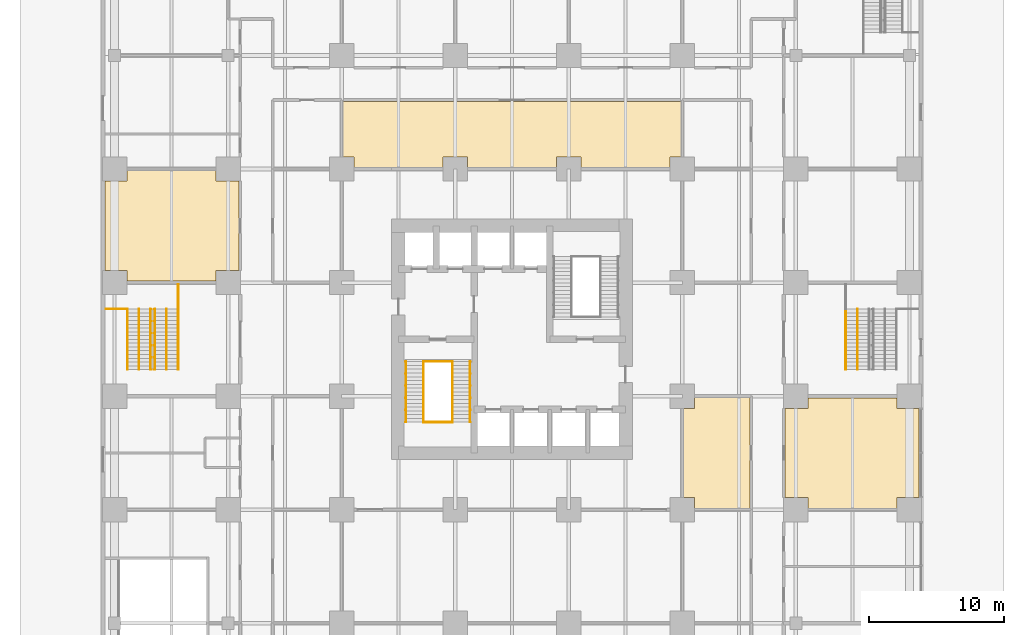
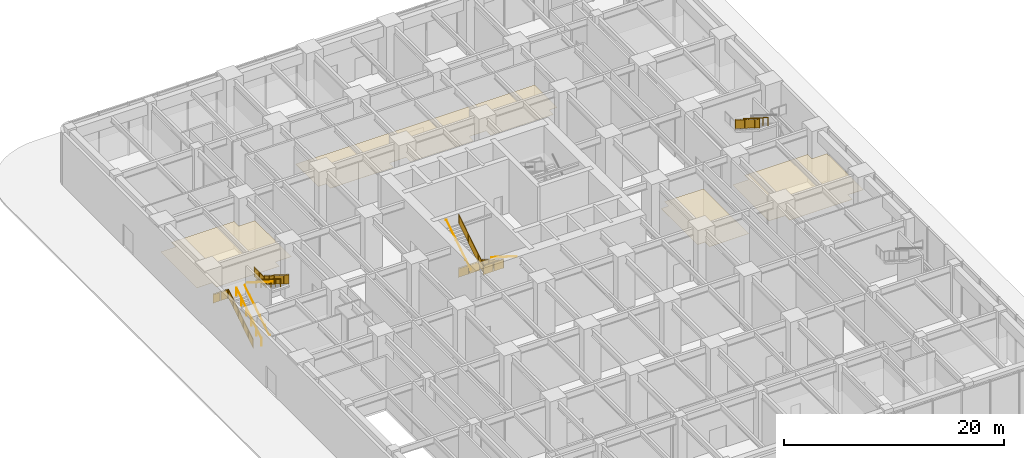
# One storey, part 19 of 21: 16 railings, 4 coverings.
"""IFC4 building model written with IfcOpenShell, lengths in metres."""

from ifc_helpers import new_model, si_unit, direction, frame, origin, origin_2d, place, context, subcontext, project, spatial, polyline, circle, outline, extrude, material, layer, layer_set, type_object, element, save


model = new_model("IFC4")

# Units and contexts
model_context = context("Model", 3, precision=1e-05, world=origin(), true_north=direction((0.0, 1.0)))
body_context = subcontext(model_context, "Body", "Model", "MODEL_VIEW")
ifc_project = project(units=[si_unit("LENGTHUNIT", "METRE"), si_unit("AREAUNIT", "SQUARE_METRE"), si_unit("VOLUMEUNIT", "CUBIC_METRE"), si_unit("PLANEANGLEUNIT", "RADIAN"), si_unit("MASSUNIT", "GRAM", prefix="KILO")], contexts=[model_context])

# Site, building, storey
site_placement = place(None, origin())
site = spatial("IfcSite", under=ifc_project, at=site_placement, CompositionType="ELEMENT")
building_placement = place(site_placement, origin())
building = spatial("IfcBuilding", under=site, at=building_placement, Name="Torre Alcanfor", CompositionType="ELEMENT")
storey_placement = place(building_placement, origin())
storey = spatial("IfcBuildingStorey", under=building, at=storey_placement, Name="L00", CompositionType="ELEMENT", Elevation=0.0)

# Coverings
ifc_material_1 = material(Name="Mineral fibre acoustic tile 20 mm, NRC 0.70, on exposed suspension grid", Category="mineral fibre")
ifc_layer = layer(ifc_material_1, 0.02001953125)
ifc_layer_set = layer_set([ifc_layer], Name="Acoustic suspended ceiling 600x600 mineral fibre tile")
covering_type = type_object("IfcCoveringType", Name="Acoustic suspended ceiling 600x600 mineral fibre tile", PredefinedType="CEILING", material=ifc_layer_set)
covering_1_placement = place(storey_placement, frame((0.0, 0.0, 3.0)))
element("IfcCovering", 1, at=covering_1_placement, inside=storey, type_object=covering_type, Name="Ceiling L00-14", PredefinedType="CEILING", context=body_context, shape_type="SweptSolid", body=[
    extrude(outline(polyline([(57.89990234375, 17.699951171875), (59.5, 17.699951171875), (59.5, 24.300048828125), (57.89990234375, 24.300048828125), (57.89990234375, 25.074951171875), (51.300048828125, 25.074951171875), (51.300048828125, 24.300048828125), (49.60009765625, 24.300048828125), (49.60009765625, 17.699951171875), (51.300048828125, 17.699951171875), (51.300048828125, 16.875), (57.89990234375, 16.875), (57.89990234375, 17.699951171875)])), origin(), (0.0, 0.0, 1.0), 0.02001953125),
])
covering_2_placement = place(storey_placement, frame((0.0, 0.0, 3.0)))
element("IfcCovering", 2, at=covering_2_placement, inside=storey, type_object=covering_type, Name="Ceiling L00-15", PredefinedType="CEILING", context=body_context, shape_type="SweptSolid", body=[
    extrude(outline(polyline([(7.5, 33.72509765625), (7.5, 34.5), (9.199951171875, 34.5), (9.199951171875, 41.10009765625), (7.5, 41.10009765625), (7.5, 41.925048828125), (0.89990234375, 41.925048828125), (0.89990234375, 41.10009765625), (-0.699951171875, 41.10009765625), (-0.699951171875, 34.5), (0.89990234375, 34.5), (0.89990234375, 33.72509765625), (7.5, 33.72509765625)])), origin(), (0.0, 0.0, 1.0), 0.02001953125),
])
covering_3_placement = place(storey_placement, frame((0.0, 0.0, 3.0)))
element("IfcCovering", 3, at=covering_3_placement, inside=storey, type_object=covering_type, Name="Ceiling L00-I08", PredefinedType="CEILING", context=body_context, shape_type="SweptSolid", body=[
    extrude(outline(polyline([(42.89990234375, 25.10009765625), (42.89990234375, 24.300048828125), (42.10009765625, 24.300048828125), (42.10009765625, 17.699951171875), (42.89990234375, 17.699951171875), (42.89990234375, 16.875), (47.0, 16.875), (47.0, 25.10009765625), (42.89990234375, 25.10009765625)])), origin(), (0.0, 0.0, 1.0), 0.02001953125),
])
covering_4_placement = place(storey_placement, frame((0.0, 0.0, 3.0)))
element("IfcCovering", 4, at=covering_4_placement, inside=storey, type_object=covering_type, Name="Ceiling L00-I12", PredefinedType="CEILING", context=body_context, shape_type="SweptSolid", body=[
    extrude(outline(polyline([(41.10009765625, 42.10009765625), (41.10009765625, 42.89990234375), (41.925048828125, 42.89990234375), (41.925048828125, 47.0), (16.875, 47.0), (16.875, 42.89990234375), (17.699951171875, 42.89990234375), (17.699951171875, 42.10009765625), (24.300048828125, 42.10009765625), (24.300048828125, 42.89990234375), (26.10009765625, 42.89990234375), (26.10009765625, 42.10009765625), (32.699951171875, 42.10009765625), (32.699951171875, 42.89990234375), (34.5, 42.89990234375), (34.5, 42.10009765625), (41.10009765625, 42.10009765625)])), origin(), (0.0, 0.0, 1.0), 0.02001953125),
])

# Railings
ifc_material_2 = material(Name="Steel ASTM A500 Grade C hollow sections", Category="steel")
railing_type_1 = type_object("IfcRailingType", Name="Stair guard and handrail 1100", PredefinedType="GUARDRAIL", material=ifc_material_2)
railing_1_placement = place(storey_placement, frame((25.0, 27.75, 0.176513671875)))
element("IfcRailing", 5, at=railing_1_placement, inside=storey, type_object=railing_type_1, Name="Stair guard S1 L00 flight 1", PredefinedType="GUARDRAIL", context=body_context, shape_type="SweptSolid", body=[
    extrude(circle(Radius=0.02392578125, at=origin_2d()), frame((0.0, 0.0, 1.076171875), z_axis=(0.0, -0.845997938375, 0.533186166611), x_axis=(1.0, 0.0, 0.0)), (0.0, 0.0, 1.0), 5.29541015625),
    extrude(circle(Radius=0.02099609375, at=origin_2d()), origin(), (0.0, 0.0, 1.0), 1.052001953125),
    extrude(circle(Radius=0.02099609375, at=origin_2d()), frame((0.0, -0.89599609375, 0.564697265625)), (0.0, 0.0, 1.0), 1.052001953125),
    extrude(circle(Radius=0.02099609375, at=origin_2d()), frame((0.0, -1.7919921875, 1.12939453125)), (0.0, 0.0, 1.0), 1.052001953125),
    extrude(circle(Radius=0.02099609375, at=origin_2d()), frame((0.0, -2.68798828125, 1.694091796875)), (0.0, 0.0, 1.0), 1.052001953125),
    extrude(circle(Radius=0.02099609375, at=origin_2d()), frame((0.0, -3.583984375, 2.2587890625)), (0.0, 0.0, 1.0), 1.052001953125),
    extrude(circle(Radius=0.02099609375, at=origin_2d()), frame((0.0, -4.47998046875, 2.823486328125)), (0.0, 0.0, 1.0), 1.052001953125),
    extrude(outline(polyline([(0.041015625, 0.075927734375), (0.85498046875, 0.5888671875), (0.85498046875, 1.540771484375), (0.041015625, 1.02783203125), (0.041015625, 0.075927734375)])), frame((0.005859375, 0.0, 0.0), z_axis=(-1.0, 0.0, 0.0), x_axis=(0.0, -1.0, 0.0)), (0.0, 0.0, 1.0), 0.011962890625),
    extrude(outline(polyline([(0.93701171875, 0.640625), (1.7509765625, 1.153564453125), (1.7509765625, 2.10546875), (0.93701171875, 1.592529296875), (0.93701171875, 0.640625)])), frame((0.005859375, 0.0, 0.0), z_axis=(-1.0, 0.0, 0.0), x_axis=(0.0, -1.0, 0.0)), (0.0, 0.0, 1.0), 0.011962890625),
    extrude(outline(polyline([(1.8330078125, 1.205322265625), (2.64697265625, 1.71826171875), (2.64697265625, 2.670166015625), (1.8330078125, 2.1572265625), (1.8330078125, 1.205322265625)])), frame((0.005859375, 0.0, 0.0), z_axis=(-1.0, 0.0, 0.0), x_axis=(0.0, -1.0, 0.0)), (0.0, 0.0, 1.0), 0.011962890625),
    extrude(outline(polyline([(2.72900390625, 1.77001953125), (3.54296875, 2.282958984375), (3.54296875, 3.23486328125), (2.72900390625, 2.721923828125), (2.72900390625, 1.77001953125)])), frame((0.005859375, 0.0, 0.0), z_axis=(-1.0, 0.0, 0.0), x_axis=(0.0, -1.0, 0.0)), (0.0, 0.0, 1.0), 0.011962890625),
    extrude(outline(polyline([(3.625, 2.334716796875), (4.43896484375, 2.84765625), (4.43896484375, 3.799560546875), (3.625, 3.28662109375), (3.625, 2.334716796875)])), frame((0.005859375, 0.0, 0.0), z_axis=(-1.0, 0.0, 0.0), x_axis=(0.0, -1.0, 0.0)), (0.0, 0.0, 1.0), 0.011962890625),
])
railing_2_placement = place(storey_placement, frame((22.85009765625, 23.27001953125, 3.176513671875)))
element("IfcRailing", 6, at=railing_2_placement, inside=storey, type_object=railing_type_1, Name="Stair guard S1 L00 flight 2", PredefinedType="GUARDRAIL", context=body_context, shape_type="SweptSolid", body=[
    extrude(circle(Radius=0.02392578125, at=origin_2d()), frame((0.0, 0.0, 1.076171875), z_axis=(0.0, 0.845997938375, 0.533186166611), x_axis=(-1.0, 0.0, 0.0)), (0.0, 0.0, 1.0), 5.29541015625),
    extrude(circle(Radius=0.02099609375, at=origin_2d()), origin(), (0.0, 0.0, 1.0), 1.052001953125),
    extrude(circle(Radius=0.02099609375, at=origin_2d()), frame((0.0, 0.89599609375, 0.564697265625)), (0.0, 0.0, 1.0), 1.052001953125),
    extrude(circle(Radius=0.02099609375, at=origin_2d()), frame((0.0, 1.7919921875, 1.12939453125)), (0.0, 0.0, 1.0), 1.052001953125),
    extrude(circle(Radius=0.02099609375, at=origin_2d()), frame((0.0, 2.68798828125, 1.694091796875)), (0.0, 0.0, 1.0), 1.052001953125),
    extrude(circle(Radius=0.02099609375, at=origin_2d()), frame((0.0, 3.583984375, 2.2587890625)), (0.0, 0.0, 1.0), 1.052001953125),
    extrude(circle(Radius=0.02099609375, at=origin_2d()), frame((0.0, 4.47998046875, 2.823486328125)), (0.0, 0.0, 1.0), 1.052001953125),
    extrude(outline(polyline([(0.041015625, 0.075927734375), (0.85498046875, 0.5888671875), (0.85498046875, 1.540771484375), (0.041015625, 1.02783203125), (0.041015625, 0.075927734375)])), frame((-0.005859375, 0.0, 0.0), z_axis=(1.0, 0.0, 0.0), x_axis=(0.0, 1.0, 0.0)), (0.0, 0.0, 1.0), 0.011962890625),
    extrude(outline(polyline([(0.93701171875, 0.640625), (1.7509765625, 1.153564453125), (1.7509765625, 2.10546875), (0.93701171875, 1.592529296875), (0.93701171875, 0.640625)])), frame((-0.005859375, 0.0, 0.0), z_axis=(1.0, 0.0, 0.0), x_axis=(0.0, 1.0, 0.0)), (0.0, 0.0, 1.0), 0.011962890625),
    extrude(outline(polyline([(1.8330078125, 1.205322265625), (2.64697265625, 1.71826171875), (2.64697265625, 2.670166015625), (1.8330078125, 2.1572265625), (1.8330078125, 1.205322265625)])), frame((-0.005859375, 0.0, 0.0), z_axis=(1.0, 0.0, 0.0), x_axis=(0.0, 1.0, 0.0)), (0.0, 0.0, 1.0), 0.011962890625),
    extrude(outline(polyline([(2.72900390625, 1.77001953125), (3.54296875, 2.282958984375), (3.54296875, 3.23486328125), (2.72900390625, 2.721923828125), (2.72900390625, 1.77001953125)])), frame((-0.005859375, 0.0, 0.0), z_axis=(1.0, 0.0, 0.0), x_axis=(0.0, 1.0, 0.0)), (0.0, 0.0, 1.0), 0.011962890625),
    extrude(outline(polyline([(3.625, 2.334716796875), (4.43896484375, 2.84765625), (4.43896484375, 3.799560546875), (3.625, 3.28662109375), (3.625, 2.334716796875)])), frame((-0.005859375, 0.0, 0.0), z_axis=(1.0, 0.0, 0.0), x_axis=(0.0, 1.0, 0.0)), (0.0, 0.0, 1.0), 0.011962890625),
])
for number, where, name in (
    (7, (22.85009765625, 27.75, 0.0), "Stair well guard S1 L00 floor landing"),
    (8, (22.85009765625, 23.27001953125, 3.0), "Stair well guard S1 L00 half landing"),
):
    element("IfcRailing", number, at=place(storey_placement, frame(where)), inside=storey, type_object=railing_type_1, Name=name, PredefinedType="GUARDRAIL", context=body_context, shape_type="SweptSolid", body=[
        extrude(circle(Radius=0.02392578125, at=origin_2d()), frame((0.0, 0.0, 1.076171875), z_axis=(1.0, 0.0, 0.0), x_axis=(0.0, 1.0, 0.0)), (0.0, 0.0, 1.0), 2.14990234375),
        extrude(circle(Radius=0.02099609375, at=origin_2d()), origin(), (0.0, 0.0, 1.0), 1.052001953125),
        extrude(circle(Radius=0.02099609375, at=origin_2d()), frame((1.074951171875, 0.0, 0.0)), (0.0, 0.0, 1.0), 1.052001953125),
        extrude(circle(Radius=0.02099609375, at=origin_2d()), frame((2.14990234375, 0.0, 0.0)), (0.0, 0.0, 1.0), 1.052001953125),
        extrude(outline(polyline([(0.041015625, 0.050048828125), (1.033935546875, 0.050048828125), (1.033935546875, 1.001953125), (0.041015625, 1.001953125), (0.041015625, 0.050048828125)])), frame((0.0, 0.005859375, 0.0), z_axis=(0.0, -1.0, 0.0), x_axis=(1.0, 0.0, 0.0)), (0.0, 0.0, 1.0), 0.011962890625),
        extrude(outline(polyline([(1.115966796875, 0.050048828125), (2.10888671875, 0.050048828125), (2.10888671875, 1.001953125), (1.115966796875, 1.001953125), (1.115966796875, 0.050048828125)])), frame((0.0, 0.005859375, 0.0), z_axis=(0.0, -1.0, 0.0), x_axis=(1.0, 0.0, 0.0)), (0.0, 0.0, 1.0), 0.011962890625),
    ])
railing_3_placement = place(storey_placement, frame((0.949951171875, 27.155029296875, 0.176513671875)))
element("IfcRailing", 9, at=railing_3_placement, inside=storey, type_object=railing_type_1, Name="Stair guard SS1 L00 flight 1", PredefinedType="GUARDRAIL", context=body_context, shape_type="SweptSolid", body=[
    extrude(circle(Radius=0.02392578125, at=origin_2d()), frame((0.0, 0.0, 1.076171875), z_axis=(0.0, 0.845997938375, 0.533186166611), x_axis=(-1.0, 0.0, 0.0)), (0.0, 0.0, 1.0), 5.29541015625),
    extrude(circle(Radius=0.02099609375, at=origin_2d()), origin(), (0.0, 0.0, 1.0), 1.052001953125),
    extrude(circle(Radius=0.02099609375, at=origin_2d()), frame((0.0, 0.89599609375, 0.564697265625)), (0.0, 0.0, 1.0), 1.052001953125),
    extrude(circle(Radius=0.02099609375, at=origin_2d()), frame((0.0, 1.7919921875, 1.12939453125)), (0.0, 0.0, 1.0), 1.052001953125),
    extrude(circle(Radius=0.02099609375, at=origin_2d()), frame((0.0, 2.68798828125, 1.694091796875)), (0.0, 0.0, 1.0), 1.052001953125),
    extrude(circle(Radius=0.02099609375, at=origin_2d()), frame((0.0, 3.583984375, 2.2587890625)), (0.0, 0.0, 1.0), 1.052001953125),
    extrude(circle(Radius=0.02099609375, at=origin_2d()), frame((0.0, 4.47998046875, 2.823486328125)), (0.0, 0.0, 1.0), 1.052001953125),
    extrude(outline(polyline([(0.041015625, 0.075927734375), (0.85498046875, 0.5888671875), (0.85498046875, 1.540771484375), (0.041015625, 1.02783203125), (0.041015625, 0.075927734375)])), frame((-0.005859375, 0.0, 0.0), z_axis=(1.0, 0.0, 0.0), x_axis=(0.0, 1.0, 0.0)), (0.0, 0.0, 1.0), 0.011962890625),
    extrude(outline(polyline([(0.93701171875, 0.640625), (1.7509765625, 1.153564453125), (1.7509765625, 2.10546875), (0.93701171875, 1.592529296875), (0.93701171875, 0.640625)])), frame((-0.005859375, 0.0, 0.0), z_axis=(1.0, 0.0, 0.0), x_axis=(0.0, 1.0, 0.0)), (0.0, 0.0, 1.0), 0.011962890625),
    extrude(outline(polyline([(1.8330078125, 1.205322265625), (2.64697265625, 1.71826171875), (2.64697265625, 2.670166015625), (1.8330078125, 2.1572265625), (1.8330078125, 1.205322265625)])), frame((-0.005859375, 0.0, 0.0), z_axis=(1.0, 0.0, 0.0), x_axis=(0.0, 1.0, 0.0)), (0.0, 0.0, 1.0), 0.011962890625),
    extrude(outline(polyline([(2.72900390625, 1.77001953125), (3.54296875, 2.282958984375), (3.54296875, 3.23486328125), (2.72900390625, 2.721923828125), (2.72900390625, 1.77001953125)])), frame((-0.005859375, 0.0, 0.0), z_axis=(1.0, 0.0, 0.0), x_axis=(0.0, 1.0, 0.0)), (0.0, 0.0, 1.0), 0.011962890625),
    extrude(outline(polyline([(3.625, 2.334716796875), (4.43896484375, 2.84765625), (4.43896484375, 3.799560546875), (3.625, 3.28662109375), (3.625, 2.334716796875)])), frame((-0.005859375, 0.0, 0.0), z_axis=(1.0, 0.0, 0.0), x_axis=(0.0, 1.0, 0.0)), (0.0, 0.0, 1.0), 0.011962890625),
])
railing_4_placement = place(storey_placement, frame((4.7099609375, 31.635009765625, 3.176513671875)))
element("IfcRailing", 10, at=railing_4_placement, inside=storey, type_object=railing_type_1, Name="Stair guard SS1 L00 flight 2", PredefinedType="GUARDRAIL", context=body_context, shape_type="SweptSolid", body=[
    extrude(circle(Radius=0.02392578125, at=origin_2d()), frame((0.0, 0.0, 1.076171875), z_axis=(0.0, -0.845997938375, 0.533186166611), x_axis=(1.0, 0.0, 0.0)), (0.0, 0.0, 1.0), 5.29541015625),
    extrude(circle(Radius=0.02099609375, at=origin_2d()), origin(), (0.0, 0.0, 1.0), 1.052001953125),
    extrude(circle(Radius=0.02099609375, at=origin_2d()), frame((0.0, -0.89599609375, 0.564697265625)), (0.0, 0.0, 1.0), 1.052001953125),
    extrude(circle(Radius=0.02099609375, at=origin_2d()), frame((0.0, -1.7919921875, 1.12939453125)), (0.0, 0.0, 1.0), 1.052001953125),
    extrude(circle(Radius=0.02099609375, at=origin_2d()), frame((0.0, -2.68798828125, 1.694091796875)), (0.0, 0.0, 1.0), 1.052001953125),
    extrude(circle(Radius=0.02099609375, at=origin_2d()), frame((0.0, -3.583984375, 2.2587890625)), (0.0, 0.0, 1.0), 1.052001953125),
    extrude(circle(Radius=0.02099609375, at=origin_2d()), frame((0.0, -4.47998046875, 2.823486328125)), (0.0, 0.0, 1.0), 1.052001953125),
    extrude(outline(polyline([(0.041015625, 0.075927734375), (0.85498046875, 0.5888671875), (0.85498046875, 1.540771484375), (0.041015625, 1.02783203125), (0.041015625, 0.075927734375)])), frame((0.005859375, 0.0, 0.0), z_axis=(-1.0, 0.0, 0.0), x_axis=(0.0, -1.0, 0.0)), (0.0, 0.0, 1.0), 0.011962890625),
    extrude(outline(polyline([(0.93701171875, 0.640625), (1.7509765625, 1.153564453125), (1.7509765625, 2.10546875), (0.93701171875, 1.592529296875), (0.93701171875, 0.640625)])), frame((0.005859375, 0.0, 0.0), z_axis=(-1.0, 0.0, 0.0), x_axis=(0.0, -1.0, 0.0)), (0.0, 0.0, 1.0), 0.011962890625),
    extrude(outline(polyline([(1.8330078125, 1.205322265625), (2.64697265625, 1.71826171875), (2.64697265625, 2.670166015625), (1.8330078125, 2.1572265625), (1.8330078125, 1.205322265625)])), frame((0.005859375, 0.0, 0.0), z_axis=(-1.0, 0.0, 0.0), x_axis=(0.0, -1.0, 0.0)), (0.0, 0.0, 1.0), 0.011962890625),
    extrude(outline(polyline([(2.72900390625, 1.77001953125), (3.54296875, 2.282958984375), (3.54296875, 3.23486328125), (2.72900390625, 2.721923828125), (2.72900390625, 1.77001953125)])), frame((0.005859375, 0.0, 0.0), z_axis=(-1.0, 0.0, 0.0), x_axis=(0.0, -1.0, 0.0)), (0.0, 0.0, 1.0), 0.011962890625),
    extrude(outline(polyline([(3.625, 2.334716796875), (4.43896484375, 2.84765625), (4.43896484375, 3.799560546875), (3.625, 3.28662109375), (3.625, 2.334716796875)])), frame((0.005859375, 0.0, 0.0), z_axis=(-1.0, 0.0, 0.0), x_axis=(0.0, -1.0, 0.0)), (0.0, 0.0, 1.0), 0.011962890625),
])
railing_5_placement = place(storey_placement, frame((-0.64990234375, 31.635009765625, 3.0)))
element("IfcRailing", 11, at=railing_5_placement, inside=storey, type_object=railing_type_1, Name="Stair guard SS1 L00 half landing facade strip", PredefinedType="GUARDRAIL", context=body_context, shape_type="SweptSolid", body=[
    extrude(circle(Radius=0.02392578125, at=origin_2d()), frame((0.0, 0.0, 1.076171875), z_axis=(1.0, 0.0, 0.0), x_axis=(0.0, 1.0, 0.0)), (0.0, 0.0, 1.0), 1.5498046875),
    extrude(circle(Radius=0.02099609375, at=origin_2d()), origin(), (0.0, 0.0, 1.0), 1.052001953125),
    extrude(circle(Radius=0.02099609375, at=origin_2d()), frame((0.77490234375, 0.0, 0.0)), (0.0, 0.0, 1.0), 1.052001953125),
    extrude(circle(Radius=0.02099609375, at=origin_2d()), frame((1.5498046875, 0.0, 0.0)), (0.0, 0.0, 1.0), 1.052001953125),
    extrude(outline(polyline([(0.041015625, 0.050048828125), (0.73388671875, 0.050048828125), (0.73388671875, 1.001953125), (0.041015625, 1.001953125), (0.041015625, 0.050048828125)])), frame((0.0, 0.005859375, 0.0), z_axis=(0.0, -1.0, 0.0), x_axis=(1.0, 0.0, 0.0)), (0.0, 0.0, 1.0), 0.011962890625),
    extrude(outline(polyline([(0.81591796875, 0.050048828125), (1.5087890625, 0.050048828125), (1.5087890625, 1.001953125), (0.81591796875, 1.001953125), (0.81591796875, 0.050048828125)])), frame((0.0, 0.005859375, 0.0), z_axis=(0.0, -1.0, 0.0), x_axis=(1.0, 0.0, 0.0)), (0.0, 0.0, 1.0), 0.011962890625),
])
railing_6_placement = place(storey_placement, frame((4.7099609375, 31.635009765625, 3.0)))
element("IfcRailing", 12, at=railing_6_placement, inside=storey, type_object=railing_type_1, Name="Stair guard SS1 L00 half landing", PredefinedType="GUARDRAIL", context=body_context, shape_type="SweptSolid", body=[
    extrude(circle(Radius=0.02392578125, at=origin_2d()), frame((0.0, 0.0, 1.076171875), z_axis=(0.0, 1.0, 0.0), x_axis=(-1.0, 0.0, 0.0)), (0.0, 0.0, 1.0), 1.830078125),
    extrude(circle(Radius=0.02099609375, at=origin_2d()), origin(), (0.0, 0.0, 1.0), 1.052001953125),
    extrude(circle(Radius=0.02099609375, at=origin_2d()), frame((0.0, 0.9150390625, 0.0)), (0.0, 0.0, 1.0), 1.052001953125),
    extrude(circle(Radius=0.02099609375, at=origin_2d()), frame((0.0, 1.830078125, 0.0)), (0.0, 0.0, 1.0), 1.052001953125),
    extrude(outline(polyline([(0.041015625, 0.050048828125), (0.8740234375, 0.050048828125), (0.8740234375, 1.001953125), (0.041015625, 1.001953125), (0.041015625, 0.050048828125)])), frame((-0.005859375, 0.0, 0.0), z_axis=(1.0, 0.0, 0.0), x_axis=(0.0, 1.0, 0.0)), (0.0, 0.0, 1.0), 0.011962890625),
    extrude(outline(polyline([(0.9560546875, 0.050048828125), (1.7890625, 0.050048828125), (1.7890625, 1.001953125), (0.9560546875, 1.001953125), (0.9560546875, 0.050048828125)])), frame((-0.005859375, 0.0, 0.0), z_axis=(1.0, 0.0, 0.0), x_axis=(0.0, 1.0, 0.0)), (0.0, 0.0, 1.0), 0.011962890625),
])
railing_7_placement = place(storey_placement, frame((54.090087890625, 31.635009765625, 3.176513671875)))
element("IfcRailing", 13, at=railing_7_placement, inside=storey, type_object=railing_type_1, Name="Stair guard SS2 L00 flight 2", PredefinedType="GUARDRAIL", context=body_context, shape_type="SweptSolid", body=[
    extrude(circle(Radius=0.02392578125, at=origin_2d()), frame((0.0, 0.0, 1.076171875), z_axis=(0.0, -0.845997938375, 0.533186166611), x_axis=(1.0, 0.0, 0.0)), (0.0, 0.0, 1.0), 5.29541015625),
    extrude(circle(Radius=0.02099609375, at=origin_2d()), origin(), (0.0, 0.0, 1.0), 1.052001953125),
    extrude(circle(Radius=0.02099609375, at=origin_2d()), frame((0.0, -0.89599609375, 0.564697265625)), (0.0, 0.0, 1.0), 1.052001953125),
    extrude(circle(Radius=0.02099609375, at=origin_2d()), frame((0.0, -1.7919921875, 1.12939453125)), (0.0, 0.0, 1.0), 1.052001953125),
    extrude(circle(Radius=0.02099609375, at=origin_2d()), frame((0.0, -2.68798828125, 1.694091796875)), (0.0, 0.0, 1.0), 1.052001953125),
    extrude(circle(Radius=0.02099609375, at=origin_2d()), frame((0.0, -3.583984375, 2.2587890625)), (0.0, 0.0, 1.0), 1.052001953125),
    extrude(circle(Radius=0.02099609375, at=origin_2d()), frame((0.0, -4.47998046875, 2.823486328125)), (0.0, 0.0, 1.0), 1.052001953125),
    extrude(outline(polyline([(0.041015625, 0.075927734375), (0.85498046875, 0.5888671875), (0.85498046875, 1.540771484375), (0.041015625, 1.02783203125), (0.041015625, 0.075927734375)])), frame((0.005859375, 0.0, 0.0), z_axis=(-1.0, 0.0, 0.0), x_axis=(0.0, -1.0, 0.0)), (0.0, 0.0, 1.0), 0.011962890625),
    extrude(outline(polyline([(0.93701171875, 0.640625), (1.7509765625, 1.153564453125), (1.7509765625, 2.10546875), (0.93701171875, 1.592529296875), (0.93701171875, 0.640625)])), frame((0.005859375, 0.0, 0.0), z_axis=(-1.0, 0.0, 0.0), x_axis=(0.0, -1.0, 0.0)), (0.0, 0.0, 1.0), 0.011962890625),
    extrude(outline(polyline([(1.8330078125, 1.205322265625), (2.64697265625, 1.71826171875), (2.64697265625, 2.670166015625), (1.8330078125, 2.1572265625), (1.8330078125, 1.205322265625)])), frame((0.005859375, 0.0, 0.0), z_axis=(-1.0, 0.0, 0.0), x_axis=(0.0, -1.0, 0.0)), (0.0, 0.0, 1.0), 0.011962890625),
    extrude(outline(polyline([(2.72900390625, 1.77001953125), (3.54296875, 2.282958984375), (3.54296875, 3.23486328125), (2.72900390625, 2.721923828125), (2.72900390625, 1.77001953125)])), frame((0.005859375, 0.0, 0.0), z_axis=(-1.0, 0.0, 0.0), x_axis=(0.0, -1.0, 0.0)), (0.0, 0.0, 1.0), 0.011962890625),
    extrude(outline(polyline([(3.625, 2.334716796875), (4.43896484375, 2.84765625), (4.43896484375, 3.799560546875), (3.625, 3.28662109375), (3.625, 2.334716796875)])), frame((0.005859375, 0.0, 0.0), z_axis=(-1.0, 0.0, 0.0), x_axis=(0.0, -1.0, 0.0)), (0.0, 0.0, 1.0), 0.011962890625),
])
ifc_material_3 = material(Name="Steel ASTM A500 Grade C hollow sections", Category="steel")
railing_type_2 = type_object("IfcRailingType", Name="Stair intermediate handrail 900", PredefinedType="HANDRAIL", material=ifc_material_3)
railing_8_placement = place(storey_placement, frame((1.81494140625, 27.155029296875, 0.176513671875)))
element("IfcRailing", 14, at=railing_8_placement, inside=storey, type_object=railing_type_2, Name="Stair intermediate handrail SS1 L00 flight 1 rail 1", PredefinedType="HANDRAIL", context=body_context, shape_type="SweptSolid", body=[
    extrude(circle(Radius=0.02392578125, at=origin_2d()), frame((0.0, 0.0, 0.8759765625), z_axis=(0.0, 0.845997938375, 0.533186166611), x_axis=(-1.0, 0.0, 0.0)), (0.0, 0.0, 1.0), 5.29541015625),
    extrude(circle(Radius=0.02099609375, at=origin_2d()), origin(), (0.0, 0.0, 1.0), 0.851806640625),
    extrude(circle(Radius=0.02099609375, at=origin_2d()), frame((0.0, 0.89599609375, 0.564697265625)), (0.0, 0.0, 1.0), 0.851806640625),
    extrude(circle(Radius=0.02099609375, at=origin_2d()), frame((0.0, 1.7919921875, 1.12939453125)), (0.0, 0.0, 1.0), 0.851806640625),
    extrude(circle(Radius=0.02099609375, at=origin_2d()), frame((0.0, 2.68798828125, 1.694091796875)), (0.0, 0.0, 1.0), 0.851806640625),
    extrude(circle(Radius=0.02099609375, at=origin_2d()), frame((0.0, 3.583984375, 2.2587890625)), (0.0, 0.0, 1.0), 0.851806640625),
    extrude(circle(Radius=0.02099609375, at=origin_2d()), frame((0.0, 4.47998046875, 2.823486328125)), (0.0, 0.0, 1.0), 0.851806640625),
])
for number, where, name in (
    (15, (3.844970703125, 31.635009765625, 3.176513671875), "Stair intermediate handrail SS1 L00 flight 2 rail 1"),
    (16, (54.955078125, 31.635009765625, 3.176513671875), "Stair intermediate handrail SS2 L00 flight 2 rail 1"),
):
    element("IfcRailing", number, at=place(storey_placement, frame(where)), inside=storey, type_object=railing_type_2, Name=name, PredefinedType="HANDRAIL", context=body_context, shape_type="SweptSolid", body=[
        extrude(circle(Radius=0.02392578125, at=origin_2d()), frame((0.0, 0.0, 0.8759765625), z_axis=(0.0, -0.845997938375, 0.533186166611), x_axis=(1.0, 0.0, 0.0)), (0.0, 0.0, 1.0), 5.29541015625),
        extrude(circle(Radius=0.02099609375, at=origin_2d()), origin(), (0.0, 0.0, 1.0), 0.851806640625),
        extrude(circle(Radius=0.02099609375, at=origin_2d()), frame((0.0, -0.89599609375, 0.564697265625)), (0.0, 0.0, 1.0), 0.851806640625),
        extrude(circle(Radius=0.02099609375, at=origin_2d()), frame((0.0, -1.7919921875, 1.12939453125)), (0.0, 0.0, 1.0), 0.851806640625),
        extrude(circle(Radius=0.02099609375, at=origin_2d()), frame((0.0, -2.68798828125, 1.694091796875)), (0.0, 0.0, 1.0), 0.851806640625),
        extrude(circle(Radius=0.02099609375, at=origin_2d()), frame((0.0, -3.583984375, 2.2587890625)), (0.0, 0.0, 1.0), 0.851806640625),
        extrude(circle(Radius=0.02099609375, at=origin_2d()), frame((0.0, -4.47998046875, 2.823486328125)), (0.0, 0.0, 1.0), 0.851806640625),
    ])
ifc_material_4 = material(Name="Steel ASTM A500 Grade C hollow sections", Category="steel")
railing_type_3 = type_object("IfcRailingType", Name="Stair wall handrail 900", PredefinedType="HANDRAIL", material=ifc_material_4)
railing_9_placement = place(storey_placement, frame((26.284912109375, 27.75, 0.176513671875)))
element("IfcRailing", 17, at=railing_9_placement, inside=storey, type_object=railing_type_3, Name="Stair handrail S1 L00 flight 1", PredefinedType="HANDRAIL", context=body_context, shape_type="SweptSolid", body=[
    extrude(circle(Radius=0.02392578125, at=origin_2d()), frame((0.0, 0.0, 0.8759765625), z_axis=(0.0, -0.845997938375, 0.533186166611), x_axis=(1.0, 0.0, 0.0)), (0.0, 0.0, 1.0), 5.29541015625),
    extrude(circle(Radius=0.008056640625, at=origin_2d()), frame((0.0, 0.0, 0.8759765625), z_axis=(1.0, 0.0, 0.0), x_axis=(0.0, 0.0, 1.0)), (0.0, 0.0, 1.0), 0.06494140625),
    extrude(circle(Radius=0.008056640625, at=origin_2d()), frame((0.0, -0.89599609375, 1.4404296875), z_axis=(1.0, 0.0, 0.0), x_axis=(0.0, 0.0, 1.0)), (0.0, 0.0, 1.0), 0.06494140625),
    extrude(circle(Radius=0.008056640625, at=origin_2d()), frame((0.0, -1.7919921875, 2.00537109375), z_axis=(1.0, 0.0, 0.0), x_axis=(0.0, 0.0, 1.0)), (0.0, 0.0, 1.0), 0.06494140625),
    extrude(circle(Radius=0.008056640625, at=origin_2d()), frame((0.0, -2.68798828125, 2.56982421875), z_axis=(1.0, 0.0, 0.0), x_axis=(0.0, 0.0, 1.0)), (0.0, 0.0, 1.0), 0.06494140625),
    extrude(circle(Radius=0.008056640625, at=origin_2d()), frame((0.0, -3.583984375, 3.134765625), z_axis=(1.0, 0.0, 0.0), x_axis=(0.0, 0.0, 1.0)), (0.0, 0.0, 1.0), 0.06494140625),
    extrude(circle(Radius=0.008056640625, at=origin_2d()), frame((0.0, -4.47998046875, 3.69921875), z_axis=(1.0, 0.0, 0.0), x_axis=(0.0, 0.0, 1.0)), (0.0, 0.0, 1.0), 0.06494140625),
])
railing_10_placement = place(storey_placement, frame((21.56494140625, 23.27001953125, 3.176513671875)))
element("IfcRailing", 18, at=railing_10_placement, inside=storey, type_object=railing_type_3, Name="Stair handrail S1 L00 flight 2", PredefinedType="HANDRAIL", context=body_context, shape_type="SweptSolid", body=[
    extrude(circle(Radius=0.02392578125, at=origin_2d()), frame((0.0, 0.0, 0.8759765625), z_axis=(0.0, 0.845997938375, 0.533186166611), x_axis=(-1.0, 0.0, 0.0)), (0.0, 0.0, 1.0), 5.29541015625),
    extrude(circle(Radius=0.008056640625, at=origin_2d()), frame((0.0, 0.0, 0.8759765625), z_axis=(-1.0, 0.0, 0.0), x_axis=(0.0, 0.0, 1.0)), (0.0, 0.0, 1.0), 0.06494140625),
    extrude(circle(Radius=0.008056640625, at=origin_2d()), frame((0.0, 0.89599609375, 1.4404296875), z_axis=(-1.0, 0.0, 0.0), x_axis=(0.0, 0.0, 1.0)), (0.0, 0.0, 1.0), 0.06494140625),
    extrude(circle(Radius=0.008056640625, at=origin_2d()), frame((0.0, 1.7919921875, 2.00537109375), z_axis=(-1.0, 0.0, 0.0), x_axis=(0.0, 0.0, 1.0)), (0.0, 0.0, 1.0), 0.06494140625),
    extrude(circle(Radius=0.008056640625, at=origin_2d()), frame((0.0, 2.68798828125, 2.56982421875), z_axis=(-1.0, 0.0, 0.0), x_axis=(0.0, 0.0, 1.0)), (0.0, 0.0, 1.0), 0.06494140625),
    extrude(circle(Radius=0.008056640625, at=origin_2d()), frame((0.0, 3.583984375, 3.134765625), z_axis=(-1.0, 0.0, 0.0), x_axis=(0.0, 0.0, 1.0)), (0.0, 0.0, 1.0), 0.06494140625),
    extrude(circle(Radius=0.008056640625, at=origin_2d()), frame((0.0, 4.47998046875, 3.69921875), z_axis=(-1.0, 0.0, 0.0), x_axis=(0.0, 0.0, 1.0)), (0.0, 0.0, 1.0), 0.06494140625),
])
railing_11_placement = place(storey_placement, frame((2.6650390625, 27.155029296875, 0.176513671875)))
element("IfcRailing", 19, at=railing_11_placement, inside=storey, type_object=railing_type_3, Name="Stair handrail SS1 L00 flight 1", PredefinedType="HANDRAIL", context=body_context, shape_type="SweptSolid", body=[
    extrude(circle(Radius=0.02392578125, at=origin_2d()), frame((0.0, 0.0, 0.8759765625), z_axis=(0.0, 0.845997938375, 0.533186166611), x_axis=(-1.0, 0.0, 0.0)), (0.0, 0.0, 1.0), 5.29541015625),
    extrude(circle(Radius=0.008056640625, at=origin_2d()), frame((0.0, 0.0, 0.8759765625), z_axis=(1.0, 0.0, 0.0), x_axis=(0.0, 0.0, 1.0)), (0.0, 0.0, 1.0), 0.06494140625),
    extrude(circle(Radius=0.008056640625, at=origin_2d()), frame((0.0, 0.89599609375, 1.4404296875), z_axis=(1.0, 0.0, 0.0), x_axis=(0.0, 0.0, 1.0)), (0.0, 0.0, 1.0), 0.06494140625),
    extrude(circle(Radius=0.008056640625, at=origin_2d()), frame((0.0, 1.7919921875, 2.00537109375), z_axis=(1.0, 0.0, 0.0), x_axis=(0.0, 0.0, 1.0)), (0.0, 0.0, 1.0), 0.06494140625),
    extrude(circle(Radius=0.008056640625, at=origin_2d()), frame((0.0, 2.68798828125, 2.56982421875), z_axis=(1.0, 0.0, 0.0), x_axis=(0.0, 0.0, 1.0)), (0.0, 0.0, 1.0), 0.06494140625),
    extrude(circle(Radius=0.008056640625, at=origin_2d()), frame((0.0, 3.583984375, 3.134765625), z_axis=(1.0, 0.0, 0.0), x_axis=(0.0, 0.0, 1.0)), (0.0, 0.0, 1.0), 0.06494140625),
    extrude(circle(Radius=0.008056640625, at=origin_2d()), frame((0.0, 4.47998046875, 3.69921875), z_axis=(1.0, 0.0, 0.0), x_axis=(0.0, 0.0, 1.0)), (0.0, 0.0, 1.0), 0.06494140625),
])
railing_12_placement = place(storey_placement, frame((2.9951171875, 31.635009765625, 3.176513671875)))
element("IfcRailing", 20, at=railing_12_placement, inside=storey, type_object=railing_type_3, Name="Stair handrail SS1 L00 flight 2", PredefinedType="HANDRAIL", context=body_context, shape_type="SweptSolid", body=[
    extrude(circle(Radius=0.02392578125, at=origin_2d()), frame((0.0, 0.0, 0.8759765625), z_axis=(0.0, -0.845997938375, 0.533186166611), x_axis=(1.0, 0.0, 0.0)), (0.0, 0.0, 1.0), 5.29541015625),
    extrude(circle(Radius=0.008056640625, at=origin_2d()), frame((0.0, 0.0, 0.8759765625), z_axis=(-1.0, 0.0, 0.0), x_axis=(0.0, 0.0, 1.0)), (0.0, 0.0, 1.0), 0.06494140625),
    extrude(circle(Radius=0.008056640625, at=origin_2d()), frame((0.0, -0.89599609375, 1.4404296875), z_axis=(-1.0, 0.0, 0.0), x_axis=(0.0, 0.0, 1.0)), (0.0, 0.0, 1.0), 0.06494140625),
    extrude(circle(Radius=0.008056640625, at=origin_2d()), frame((0.0, -1.7919921875, 2.00537109375), z_axis=(-1.0, 0.0, 0.0), x_axis=(0.0, 0.0, 1.0)), (0.0, 0.0, 1.0), 0.06494140625),
    extrude(circle(Radius=0.008056640625, at=origin_2d()), frame((0.0, -2.68798828125, 2.56982421875), z_axis=(-1.0, 0.0, 0.0), x_axis=(0.0, 0.0, 1.0)), (0.0, 0.0, 1.0), 0.06494140625),
    extrude(circle(Radius=0.008056640625, at=origin_2d()), frame((0.0, -3.583984375, 3.134765625), z_axis=(-1.0, 0.0, 0.0), x_axis=(0.0, 0.0, 1.0)), (0.0, 0.0, 1.0), 0.06494140625),
    extrude(circle(Radius=0.008056640625, at=origin_2d()), frame((0.0, -4.47998046875, 3.69921875), z_axis=(-1.0, 0.0, 0.0), x_axis=(0.0, 0.0, 1.0)), (0.0, 0.0, 1.0), 0.06494140625),
])

save(model, "model.ifc")
